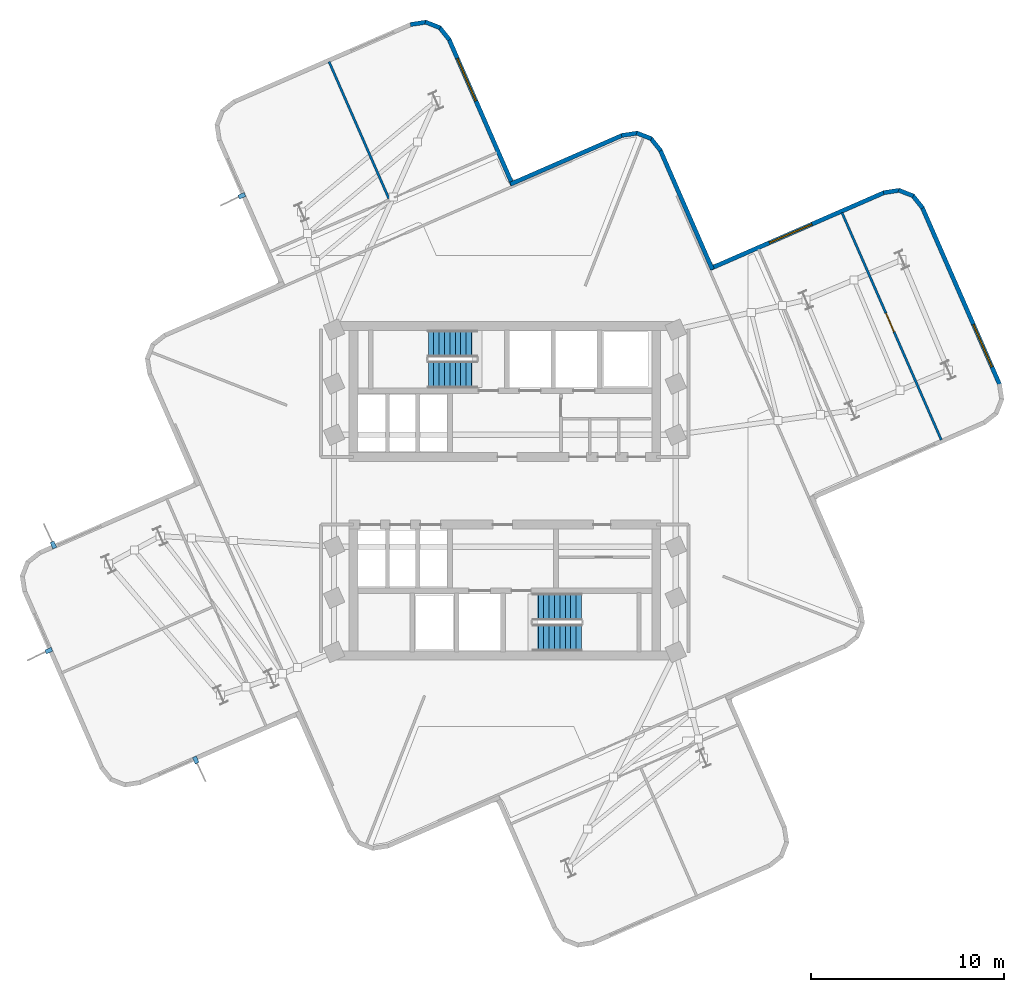
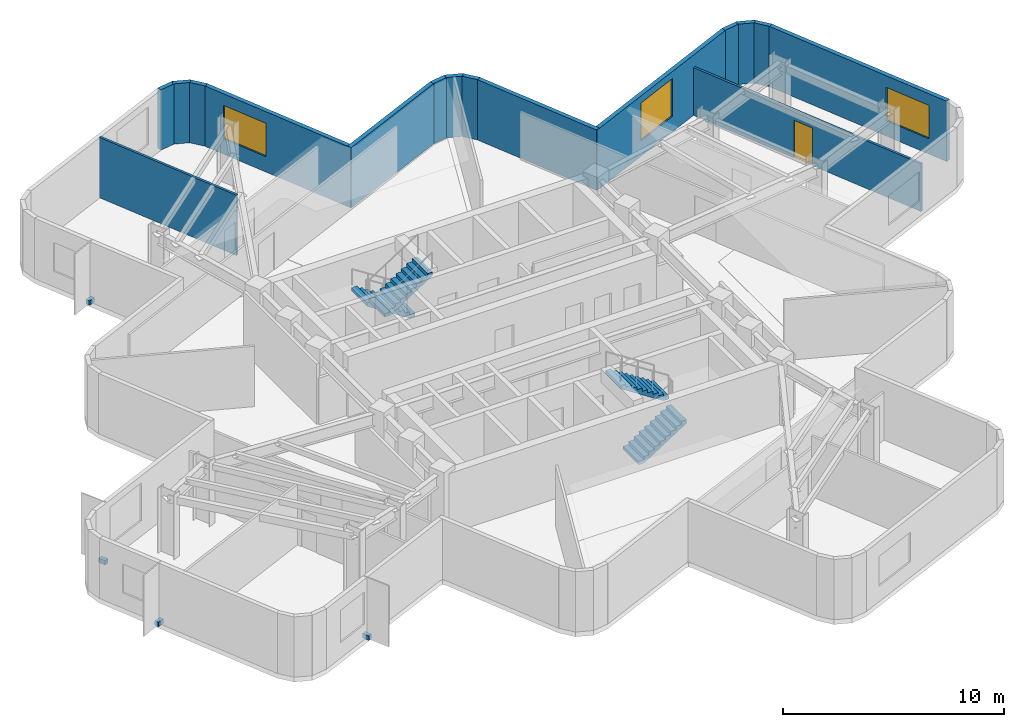
# One storey, part 5 of 8: 16 walls, 4 discrete accessories, 4 stair flights, 3 windows, 1 door, 4 openings, 2 elements without a shape of their own.
"""IFC4 building model written with IfcOpenShell, lengths in metres."""

from ifc_helpers import new_model, si_unit, direction, frame, frame_2d, origin, origin_2d, place, context, subcontext, project, spatial, polyline, rectangle, outline, extrude, material, layer, layer_set, type_object, element, fill, aggregate, save


model = new_model("IFC4")

# Units and contexts
model_context = context("Model", 3, precision=1e-05, world=origin(), true_north=direction((0.0, 1.0)))
body_context = subcontext(model_context, "Body", "Model", "MODEL_VIEW")
ifc_project = project(units=[si_unit("LENGTHUNIT", "METRE"), si_unit("AREAUNIT", "SQUARE_METRE"), si_unit("VOLUMEUNIT", "CUBIC_METRE"), si_unit("PLANEANGLEUNIT", "RADIAN"), si_unit("MASSUNIT", "GRAM", prefix="KILO")], contexts=[model_context])

# Site, building, storey
site_placement = place(None, origin())
site = spatial("IfcSite", under=ifc_project, at=site_placement, CompositionType="ELEMENT")
building_placement = place(site_placement, origin())
building = spatial("IfcBuilding", under=site, at=building_placement, Name="Solmarez Civic Tower", CompositionType="ELEMENT")
storey_placement = place(building_placement, frame((0.0, 0.0, 181.080078125)))
storey = spatial("IfcBuildingStorey", under=building, at=storey_placement, Name="L48", CompositionType="ELEMENT", Elevation=181.080078125)

# Walls
ifc_material_1 = material(Name="Precast concrete C40/50", Category="concrete")
ifc_layer_1 = layer(ifc_material_1, 0.219970703125)
ifc_layer_set_1 = layer_set([ifc_layer_1], Name="Precast concrete C40/50")
wall_type_1 = type_object("IfcWallType", Name="WALL-EXT-220", PredefinedType="SOLIDWALL", material=ifc_layer_set_1)
wall_1_placement = place(storey_placement, frame((-4.89892578125, 24.155029296875, 0.0), z_axis=(0.0, 0.0, 1.0), x_axis=(0.988714190876, 0.149814047271, 0.0)))
element("IfcWall", 1, at=wall_1_placement, inside=storey, type_object=wall_type_1, Name="L48 Exterior Precast Wall 25", PredefinedType="SOLIDWALL", context=body_context, shape_type="SweptSolid", body=[
    extrude(rectangle(XDim=0.83447265625, YDim=0.219970703125, at=frame_2d((0.417236328125, 0.0))), origin(), (0.0, 0.0, 1.0), 3.33984375),
])
wall_2_placement = place(storey_placement, frame((-4.1220703125, 24.284912109375, 0.0), z_axis=(0.0, 0.0, 1.0), x_axis=(0.931370407378, -0.364073020507, 0.0)))
element("IfcWall", 2, at=wall_2_placement, inside=storey, type_object=wall_type_1, Name="L48 Exterior Precast Wall 26", PredefinedType="SOLIDWALL", context=body_context, shape_type="SweptSolid", body=[
    extrude(rectangle(XDim=0.818115234375, YDim=0.219970703125, at=frame_2d((0.4091796875, 0.0))), origin(), (0.0, 0.0, 1.0), 3.33984375),
])
wall_3_placement = place(storey_placement, frame((-3.39892578125, 24.01611328125, 0.0), z_axis=(0.0, 0.0, 1.0), x_axis=(0.624338860581, -0.781153625844, 0.0)))
element("IfcWall", 3, at=wall_3_placement, inside=storey, type_object=wall_type_1, Name="L48 Exterior Precast Wall 27", PredefinedType="SOLIDWALL", context=body_context, shape_type="SweptSolid", body=[
    extrude(rectangle(XDim=0.8359375, YDim=0.219970703125, at=frame_2d((0.41796875, 0.0))), origin(), (0.0, 0.0, 1.0), 3.33984375),
])

# Wall, opening, window
wall_4_placement = place(storey_placement, frame((-2.903076171875, 23.406005859375, 0.0), z_axis=(0.0, 0.0, 1.0), x_axis=(0.400277606131, -0.916393931685, 0.0)))
wall_4 = element("IfcWall", 4, at=wall_4_placement, inside=storey, type_object=wall_type_1, Name="L48 Exterior Precast Wall 28", PredefinedType="SOLIDWALL", context=body_context, shape_type="SweptSolid", body=[
    extrude(rectangle(XDim=8.259765625, YDim=0.219970703125, at=frame_2d((4.1298828125, 0.0))), origin(), (0.0, 0.0, 1.0), 3.33984375),
])
opening_1_placement = place(wall_4_placement, frame((1.10009765625, 0.0, 0.85009765625)))
opening_1 = element("IfcOpeningElement", 5, at=opening_1_placement, cuts=wall_4, Name="Opening W-06", PredefinedType="OPENING", context=body_context, shape_type="SweptSolid", body=[
    extrude(rectangle(XDim=2.39990234375, YDim=1.85009765625, at=frame_2d((1.199951171875, 0.925048828125))), frame((0.0, 0.119873046875, 0.0), z_axis=(0.0, -1.0, 0.0), x_axis=(1.0, 0.0, 0.0)), (0.0, 0.0, 1.0), 0.239990234375),
])
ifc_material_2 = material(Name="Solar Control Bronze-Tinted Insulating Glass", Category="glass")
window_type_1 = type_object("IfcWindowType", Name="WIN-2400X1850", PartitioningType="SINGLE_PANEL", PredefinedType="WINDOW", material=ifc_material_2)
window_1_placement = place(opening_1_placement, origin())
window_1 = element("IfcWindow", 6, at=window_1_placement, inside=storey, type_object=window_type_1, Name="L48 Exterior Facade Window 28", OverallHeight=1.85009765625, OverallWidth=2.39990234375, PartitioningType="SINGLE_PANEL", PredefinedType="WINDOW", context=body_context, shape_type="SweptSolid", body=[
    extrude(rectangle(XDim=2.39990234375, YDim=1.85009765625, at=frame_2d((1.199951171875, 0.925048828125))), frame((0.0, 0.030029296875, 0.0), z_axis=(0.0, -1.0, 0.0), x_axis=(1.0, 0.0, 0.0)), (0.0, 0.0, 1.0), 0.06005859375),
])
fill(opening_1, window_1)

# Walls
wall_5_placement = place(storey_placement, frame((0.287109375, 15.883056640625, 0.0), z_axis=(0.0, 0.0, 1.0), x_axis=(0.916361402872, 0.400352069216, 0.0)))
element("IfcWall", 7, at=wall_5_placement, inside=storey, type_object=wall_type_1, Name="L48 Exterior Precast Wall 31", PredefinedType="SOLIDWALL", context=body_context, shape_type="SweptSolid", body=[
    extrude(rectangle(XDim=6.339111328125, YDim=0.219970703125, at=frame_2d((3.16943359375, 0.0))), origin(), (0.0, 0.0, 1.0), 3.33984375),
])
wall_6_placement = place(storey_placement, frame((6.048095703125, 18.406982421875, 0.0), z_axis=(0.0, 0.0, 1.0), x_axis=(0.988714190876, 0.149814047271, 0.0)))
element("IfcWall", 8, at=wall_6_placement, inside=storey, type_object=wall_type_1, Name="L48 Exterior Precast Wall 32", PredefinedType="SOLIDWALL", context=body_context, shape_type="SweptSolid", body=[
    extrude(rectangle(XDim=0.83447265625, YDim=0.219970703125, at=frame_2d((0.417236328125, 0.0))), origin(), (0.0, 0.0, 1.0), 3.33984375),
])
wall_7_placement = place(storey_placement, frame((6.824951171875, 18.537109375, 0.0), z_axis=(0.0, 0.0, 1.0), x_axis=(0.931269191941, -0.364331843435, 0.0)))
element("IfcWall", 9, at=wall_7_placement, inside=storey, type_object=wall_type_1, Name="L48 Exterior Precast Wall 33", PredefinedType="SOLIDWALL", context=body_context, shape_type="SweptSolid", body=[
    extrude(rectangle(XDim=0.818115234375, YDim=0.219970703125, at=frame_2d((0.4091796875, 0.0))), origin(), (0.0, 0.0, 1.0), 3.33984375),
])
wall_8_placement = place(storey_placement, frame((7.548095703125, 18.26806640625, 0.0), z_axis=(0.0, 0.0, 1.0), x_axis=(0.624338860581, -0.781153625844, 0.0)))
element("IfcWall", 10, at=wall_8_placement, inside=storey, type_object=wall_type_1, Name="L48 Exterior Precast Wall 34", PredefinedType="SOLIDWALL", context=body_context, shape_type="SweptSolid", body=[
    extrude(rectangle(XDim=0.8359375, YDim=0.219970703125, at=frame_2d((0.41796875, 0.0))), origin(), (0.0, 0.0, 1.0), 3.33984375),
])
wall_9_placement = place(storey_placement, frame((8.0439453125, 17.657958984375, 0.0), z_axis=(0.0, 0.0, 1.0), x_axis=(0.400352658158, -0.916361145567, 0.0)))
element("IfcWall", 11, at=wall_9_placement, inside=storey, type_object=wall_type_1, Name="L48 Exterior Precast Wall 35", PredefinedType="SOLIDWALL", context=body_context, shape_type="SweptSolid", body=[
    extrude(rectangle(XDim=6.75927734375, YDim=0.219970703125, at=frame_2d((3.379638671875, 0.0))), origin(), (0.0, 0.0, 1.0), 3.33984375),
])

# Wall, opening, window
wall_10_placement = place(storey_placement, frame((10.634033203125, 11.510009765625, 0.0), z_axis=(0.0, 0.0, 1.0), x_axis=(0.916355581171, 0.400365394179, 0.0)))
wall_10 = element("IfcWall", 12, at=wall_10_placement, inside=storey, type_object=wall_type_1, Name="L48 Exterior Precast Wall 38", PredefinedType="SOLIDWALL", context=body_context, shape_type="SweptSolid", body=[
    extrude(rectangle(XDim=9.858642578125, YDim=0.219970703125, at=frame_2d((4.92919921875, 0.0))), origin(), (0.0, 0.0, 1.0), 3.33984375),
])
opening_2_placement = place(wall_10_placement, frame((3.35009765625, 0.0, 0.85009765625)))
opening_2 = element("IfcOpeningElement", 13, at=opening_2_placement, cuts=wall_10, Name="Opening W-02", PredefinedType="OPENING", context=body_context, shape_type="SweptSolid", body=[
    extrude(rectangle(XDim=2.39990234375, YDim=2.10009765625, at=frame_2d((1.199951171875, 1.050048828125))), frame((0.0, 0.119873046875, 0.0), z_axis=(0.0, -1.0, 0.0), x_axis=(1.0, 0.0, 0.0)), (0.0, 0.0, 1.0), 0.239990234375),
])
window_type_2 = type_object("IfcWindowType", Name="WIN-2400X2100", PartitioningType="SINGLE_PANEL", PredefinedType="WINDOW", material=ifc_material_2)
window_2_placement = place(opening_2_placement, origin())
window_2 = element("IfcWindow", 14, at=window_2_placement, inside=storey, type_object=window_type_2, Name="L48 Exterior Facade Window 38", OverallHeight=2.10009765625, OverallWidth=2.39990234375, PartitioningType="SINGLE_PANEL", PredefinedType="WINDOW", context=body_context, shape_type="SweptSolid", body=[
    extrude(rectangle(XDim=2.39990234375, YDim=2.10009765625, at=frame_2d((1.199951171875, 1.050048828125))), frame((0.0, 0.030029296875, 0.0), z_axis=(0.0, -1.0, 0.0), x_axis=(1.0, 0.0, 0.0)), (0.0, 0.0, 1.0), 0.06005859375),
])
fill(opening_2, window_2)

# Walls
wall_11_placement = place(storey_placement, frame((19.6201171875, 15.443115234375, 0.0), z_axis=(0.0, 0.0, 1.0), x_axis=(0.988714190876, 0.149814047271, 0.0)))
element("IfcWall", 15, at=wall_11_placement, inside=storey, type_object=wall_type_1, Name="L48 Exterior Precast Wall 39", PredefinedType="SOLIDWALL", context=body_context, shape_type="SweptSolid", body=[
    extrude(rectangle(XDim=0.83447265625, YDim=0.219970703125, at=frame_2d((0.417236328125, 0.0))), origin(), (0.0, 0.0, 1.0), 3.33984375),
])
wall_12_placement = place(storey_placement, frame((20.39697265625, 15.572998046875, 0.0), z_axis=(0.0, 0.0, 1.0), x_axis=(0.93086383185, -0.365366290938, 0.0)))
element("IfcWall", 16, at=wall_12_placement, inside=storey, type_object=wall_type_1, Name="L48 Exterior Precast Wall 40", PredefinedType="SOLIDWALL", context=body_context, shape_type="SweptSolid", body=[
    extrude(rectangle(XDim=0.818603515625, YDim=0.219970703125, at=frame_2d((0.4091796875, 0.0))), origin(), (0.0, 0.0, 1.0), 3.33984375),
])
wall_13_placement = place(storey_placement, frame((21.1201171875, 15.302978515625, 0.0), z_axis=(0.0, 0.0, 1.0), x_axis=(0.623625316731, -0.781723393747, 0.0)))
element("IfcWall", 17, at=wall_13_placement, inside=storey, type_object=wall_type_1, Name="L48 Exterior Precast Wall 41", PredefinedType="SOLIDWALL", context=body_context, shape_type="SweptSolid", body=[
    extrude(rectangle(XDim=0.83544921875, YDim=0.219970703125, at=frame_2d((0.417724609375, 0.0))), origin(), (0.0, 0.0, 1.0), 3.33984375),
])

# Wall, opening, window
wall_14_placement = place(storey_placement, frame((21.614990234375, 14.693115234375, 0.0), z_axis=(0.0, 0.0, 1.0), x_axis=(0.400359601754, -0.916358111921, 0.0)))
wall_14 = element("IfcWall", 18, at=wall_14_placement, inside=storey, type_object=wall_type_1, Name="L48 Exterior Precast Wall 42", PredefinedType="SOLIDWALL", context=body_context, shape_type="SweptSolid", body=[
    extrude(rectangle(XDim=10.041015625, YDim=0.219970703125, at=frame_2d((5.0205078125, 0.0))), origin(), (0.0, 0.0, 1.0), 3.33984375),
])
opening_3_placement = place(wall_14_placement, frame((6.632080078125, 0.0, 0.85009765625)))
opening_3 = element("IfcOpeningElement", 19, at=opening_3_placement, cuts=wall_14, Name="Opening W-06", PredefinedType="OPENING", context=body_context, shape_type="SweptSolid", body=[
    extrude(rectangle(XDim=2.39990234375, YDim=1.85009765625, at=frame_2d((1.199951171875, 0.925048828125))), frame((0.0, 0.119873046875, 0.0), z_axis=(0.0, -1.0, 0.0), x_axis=(1.0, 0.0, 0.0)), (0.0, 0.0, 1.0), 0.239990234375),
])
window_3_placement = place(opening_3_placement, origin())
window_3 = element("IfcWindow", 20, at=window_3_placement, inside=storey, type_object=window_type_1, Name="L48 Exterior Facade Window 42", OverallHeight=1.85009765625, OverallWidth=2.39990234375, PartitioningType="SINGLE_PANEL", PredefinedType="WINDOW", context=body_context, shape_type="SweptSolid", body=[
    extrude(rectangle(XDim=2.39990234375, YDim=1.85009765625, at=frame_2d((1.199951171875, 0.925048828125))), frame((0.0, 0.030029296875, 0.0), z_axis=(0.0, -1.0, 0.0), x_axis=(1.0, 0.0, 0.0)), (0.0, 0.0, 1.0), 0.06005859375),
])
fill(opening_3, window_3)

# Wall, opening, door
ifc_material_3 = material(Name="Gypsum Board Acoustic Steel-Stud Partition", Category="steel")
ifc_layer_2 = layer(ifc_material_3, 0.1201171875)
ifc_layer_set_2 = layer_set([ifc_layer_2], Name="Gypsum Board Acoustic Steel-Stud Partition")
wall_type_2 = type_object("IfcWallType", Name="WALL-INT-PART-120", PredefinedType="PARTITIONING", material=ifc_layer_set_2)
wall_15_placement = place(storey_placement, frame((17.4609375, 14.410888671875, 0.0), z_axis=(0.0, 0.0, 1.0), x_axis=(0.400394200209, -0.916342994974, 0.0)))
wall_15 = element("IfcWall", 21, at=wall_15_placement, inside=storey, type_object=wall_type_2, Name="L48 Interior Partition PT-L48-E-SC2", PredefinedType="PARTITIONING", context=body_context, shape_type="SweptSolid", body=[
    extrude(rectangle(XDim=12.849853515625, YDim=0.1201171875, at=frame_2d((6.4248046875, 0.0))), origin(), (0.0, 0.0, 1.0), 2.64404296875),
])
opening_4_placement = place(wall_15_placement, frame((5.68994140625, 0.0, 0.0)))
opening_4 = element("IfcOpeningElement", 22, at=opening_4_placement, cuts=wall_15, Name="Opening D-13", PredefinedType="OPENING", context=body_context, shape_type="SweptSolid", body=[
    extrude(rectangle(XDim=1.050048828125, YDim=2.080078125, at=frame_2d((0.52490234375, 1.0400390625))), frame((0.0, 0.070068359375, 0.0), z_axis=(0.0, -1.0, 0.0), x_axis=(1.0, 0.0, 0.0)), (0.0, 0.0, 1.0), 0.14013671875),
])
ifc_material_4 = material(Name="Timber Directorate Office Door", Category="wood")
door_type = type_object("IfcDoorType", Name="DOOR-INT-1050", OperationType="NOTDEFINED", PredefinedType="DOOR", material=ifc_material_4)
door_placement = place(opening_4_placement, origin())
door = element("IfcDoor", 23, at=door_placement, inside=storey, type_object=door_type, Name="L48 Security Control Room East Door", OperationType="SINGLE_SWING_RIGHT", OverallHeight=2.080078125, OverallWidth=1.050048828125, PredefinedType="DOOR", context=body_context, shape_type="SweptSolid", body=[
    extrude(rectangle(XDim=1.050048828125, YDim=2.080078125, at=frame_2d((0.52490234375, 1.0400390625))), frame((0.0, 0.02490234375, 0.0), z_axis=(0.0, -1.0, 0.0), x_axis=(1.0, 0.0, 0.0)), (0.0, 0.0, 1.0), 0.050048828125),
])
fill(opening_4, door)

# Wall
wall_16_placement = place(storey_placement, frame((-6.013916015625, 15.138916015625, 0.0), z_axis=(0.0, 0.0, 1.0), x_axis=(-0.400442909306, 0.916321710092, 0.0)))
element("IfcWall", 24, at=wall_16_placement, inside=storey, type_object=wall_type_2, Name="L48 Interior Partition PT-L48-N-TSP", PredefinedType="PARTITIONING", context=body_context, shape_type="SweptSolid", body=[
    extrude(rectangle(XDim=7.734375, YDim=0.1201171875, at=frame_2d((3.8671875, 0.0))), origin(), (0.0, 0.0, 1.0), 3.33984375),
])

# Stair, stair flights
ifc_material_5 = material(Name="Concrete C50/60", Category="concrete")
stair_type = type_object("IfcStairType", Name="STAIR-DOGLEG-140W-20R-1800", PredefinedType="HALF_TURN_STAIR", material=ifc_material_5)
stair_1_placement = place(storey_placement, origin())
stair_1 = element("IfcStair", 25, at=stair_1_placement, inside=storey, type_object=stair_type, Name="L48 North Core Protected Exit Stair ST-1", PredefinedType="HALF_TURN_STAIR")
stair_flight_type = type_object("IfcStairFlightType", Name="FLIGHT-DOGLEG-140W-10R-1800", PredefinedType="STRAIGHT", material=ifc_material_5)
stair_flight_1_placement = place(storey_placement, frame((-1.449951171875, 7.6201171875, 0.0), z_axis=(0.0, 0.0, 1.0), x_axis=(-1.0, 0.0, 0.0)))
stair_flight_1 = element("IfcStairFlight", 26, at=stair_flight_1_placement, type_object=stair_flight_type, Name="ST-1 flight 1", NumberOfRisers=10, NumberOfTreads=9, PredefinedType="STRAIGHT", RiserHeight=0.18, TreadLength=0.28, context=body_context, shape_type="SweptSolid", body=[
    extrude(outline(polyline([(0.0, 0.0), (0.0, 0.179931640625), (0.280029296875, 0.179931640625), (0.280029296875, 0.360107421875), (0.56005859375, 0.360107421875), (0.56005859375, 0.5400390625), (0.840087890625, 0.5400390625), (0.840087890625, 0.719970703125), (1.1201171875, 0.719970703125), (1.1201171875, 0.89990234375), (1.39990234375, 0.89990234375), (1.39990234375, 1.080078125), (1.679931640625, 1.080078125), (1.679931640625, 1.260009765625), (1.9599609375, 1.260009765625), (1.9599609375, 1.43994140625), (2.239990234375, 1.43994140625), (2.239990234375, 1.6201171875), (2.52001953125, 1.6201171875), (2.52001953125, 1.800048828125), (2.52001953125, 1.429931640625), (0.295654296875, 0.0), (0.0, 0.0)])), frame((0.0, 0.699951171875, 0.0), z_axis=(0.0, -1.0, 0.0), x_axis=(1.0, 0.0, 0.0)), (0.0, 0.0, 1.0), 1.39990234375),
])
stair_flight_2_placement = place(storey_placement, frame((-3.969970703125, 6.02001953125, 1.7998046875), z_axis=(0.0, 0.0, 1.0), x_axis=(1.0, 0.0, 0.0)))
stair_flight_2 = element("IfcStairFlight", 27, at=stair_flight_2_placement, type_object=stair_flight_type, Name="ST-1 flight 2", NumberOfRisers=10, NumberOfTreads=9, PredefinedType="STRAIGHT", RiserHeight=0.18, TreadLength=0.28, context=body_context, shape_type="SweptSolid", body=[
    extrude(outline(polyline([(0.0, 0.0), (0.0, 0.179931640625), (0.280029296875, 0.179931640625), (0.280029296875, 0.360107421875), (0.56005859375, 0.360107421875), (0.56005859375, 0.5400390625), (0.840087890625, 0.5400390625), (0.840087890625, 0.719970703125), (1.1201171875, 0.719970703125), (1.1201171875, 0.89990234375), (1.39990234375, 0.89990234375), (1.39990234375, 1.080078125), (1.679931640625, 1.080078125), (1.679931640625, 1.260009765625), (1.9599609375, 1.260009765625), (1.9599609375, 1.43994140625), (2.239990234375, 1.43994140625), (2.239990234375, 1.6201171875), (2.52001953125, 1.6201171875), (2.52001953125, 1.800048828125), (2.52001953125, 1.429931640625), (0.295654296875, 0.0), (0.0, 0.0)])), frame((0.0, 0.699951171875, 0.0), z_axis=(0.0, -1.0, 0.0), x_axis=(1.0, 0.0, 0.0)), (0.0, 0.0, 1.0), 1.39990234375),
])
aggregate(stair_1, [stair_flight_1, stair_flight_2])

stair_2_placement = place(storey_placement, origin())
stair_2 = element("IfcStair", 28, at=stair_2_placement, inside=storey, type_object=stair_type, Name="L48 South Core Protected Exit Stair ST-2", PredefinedType="HALF_TURN_STAIR")
stair_flight_3_placement = place(storey_placement, frame((1.449951171875, -7.6201171875, 0.0), z_axis=(0.0, 0.0, 1.0), x_axis=(1.0, 0.0, 0.0)))
stair_flight_3 = element("IfcStairFlight", 29, at=stair_flight_3_placement, type_object=stair_flight_type, Name="ST-2 flight 1", NumberOfRisers=10, NumberOfTreads=9, PredefinedType="STRAIGHT", RiserHeight=0.18, TreadLength=0.28, context=body_context, shape_type="SweptSolid", body=[
    extrude(outline(polyline([(0.0, 0.0), (0.0, 0.179931640625), (0.280029296875, 0.179931640625), (0.280029296875, 0.360107421875), (0.56005859375, 0.360107421875), (0.56005859375, 0.5400390625), (0.840087890625, 0.5400390625), (0.840087890625, 0.719970703125), (1.1201171875, 0.719970703125), (1.1201171875, 0.89990234375), (1.39990234375, 0.89990234375), (1.39990234375, 1.080078125), (1.679931640625, 1.080078125), (1.679931640625, 1.260009765625), (1.9599609375, 1.260009765625), (1.9599609375, 1.43994140625), (2.239990234375, 1.43994140625), (2.239990234375, 1.6201171875), (2.52001953125, 1.6201171875), (2.52001953125, 1.800048828125), (2.52001953125, 1.429931640625), (0.295654296875, 0.0), (0.0, 0.0)])), frame((0.0, 0.699951171875, 0.0), z_axis=(0.0, -1.0, 0.0), x_axis=(1.0, 0.0, 0.0)), (0.0, 0.0, 1.0), 1.39990234375),
])
stair_flight_4_placement = place(storey_placement, frame((3.969970703125, -6.02001953125, 1.7998046875), z_axis=(0.0, 0.0, 1.0), x_axis=(-1.0, 0.0, 0.0)))
stair_flight_4 = element("IfcStairFlight", 30, at=stair_flight_4_placement, type_object=stair_flight_type, Name="ST-2 flight 2", NumberOfRisers=10, NumberOfTreads=9, PredefinedType="STRAIGHT", RiserHeight=0.18, TreadLength=0.28, context=body_context, shape_type="SweptSolid", body=[
    extrude(outline(polyline([(0.0, 0.0), (0.0, 0.179931640625), (0.280029296875, 0.179931640625), (0.280029296875, 0.360107421875), (0.56005859375, 0.360107421875), (0.56005859375, 0.5400390625), (0.840087890625, 0.5400390625), (0.840087890625, 0.719970703125), (1.1201171875, 0.719970703125), (1.1201171875, 0.89990234375), (1.39990234375, 0.89990234375), (1.39990234375, 1.080078125), (1.679931640625, 1.080078125), (1.679931640625, 1.260009765625), (1.9599609375, 1.260009765625), (1.9599609375, 1.43994140625), (2.239990234375, 1.43994140625), (2.239990234375, 1.6201171875), (2.52001953125, 1.6201171875), (2.52001953125, 1.800048828125), (2.52001953125, 1.429931640625), (0.295654296875, 0.0), (0.0, 0.0)])), frame((0.0, 0.699951171875, 0.0), z_axis=(0.0, -1.0, 0.0), x_axis=(1.0, 0.0, 0.0)), (0.0, 0.0, 1.0), 1.39990234375),
])
aggregate(stair_2, [stair_flight_3, stair_flight_4])

# Discrete accessories
ifc_material_6 = material(Name="Stainless Steel Grade 1.4401", Category="steel")
discrete_accessory_type = type_object("IfcDiscreteAccessoryType", Name="BRACKET-SS-FIN", PredefinedType="BRACKET", material=ifc_material_6)
for number, where, z_axis, x_axis, name in (
    (31, (-16.014892578125, -13.947998046875, -0.06005859375), (0.0, 0.0, 1.0), (0.400373033615, -0.916352243383, 0.0), "L48 Stainless Fin Support Bracket FIN-L48-01"),
    (32, (-23.631103515625, -8.281982421875, -0.06005859375), (0.0, 0.0, 1.0), (-0.916352489809, -0.400372469609, 0.0), "L48 Stainless Fin Support Bracket FIN-L48-02"),
    (33, (-23.39208984375, -2.81005859375, -0.06005859375), (0.0, 0.0, 1.0), (-0.400384874781, 0.916347069645, 0.0), "L48 Stainless Fin Support Bracket FIN-L48-03"),
    (34, (-13.62890625, 15.282958984375, -0.06005859375), (0.0, 0.0, 1.0), (-0.916340409495, -0.40040011729, 0.0), "L48 Stainless Fin Support Bracket FIN-L48-04"),
):
    element("IfcDiscreteAccessory", number, at=place(storey_placement, frame(where, z_axis=z_axis, x_axis=x_axis)), inside=storey, type_object=discrete_accessory_type, Name=name, PredefinedType="BRACKET", context=body_context, shape_type="SweptSolid", body=[
        extrude(rectangle(XDim=0.360107421875, YDim=0.219970703125, at=origin_2d()), origin(), (0.0, 0.0, 1.0), 0.239990234375),
    ])

save(model, "model.ifc")
